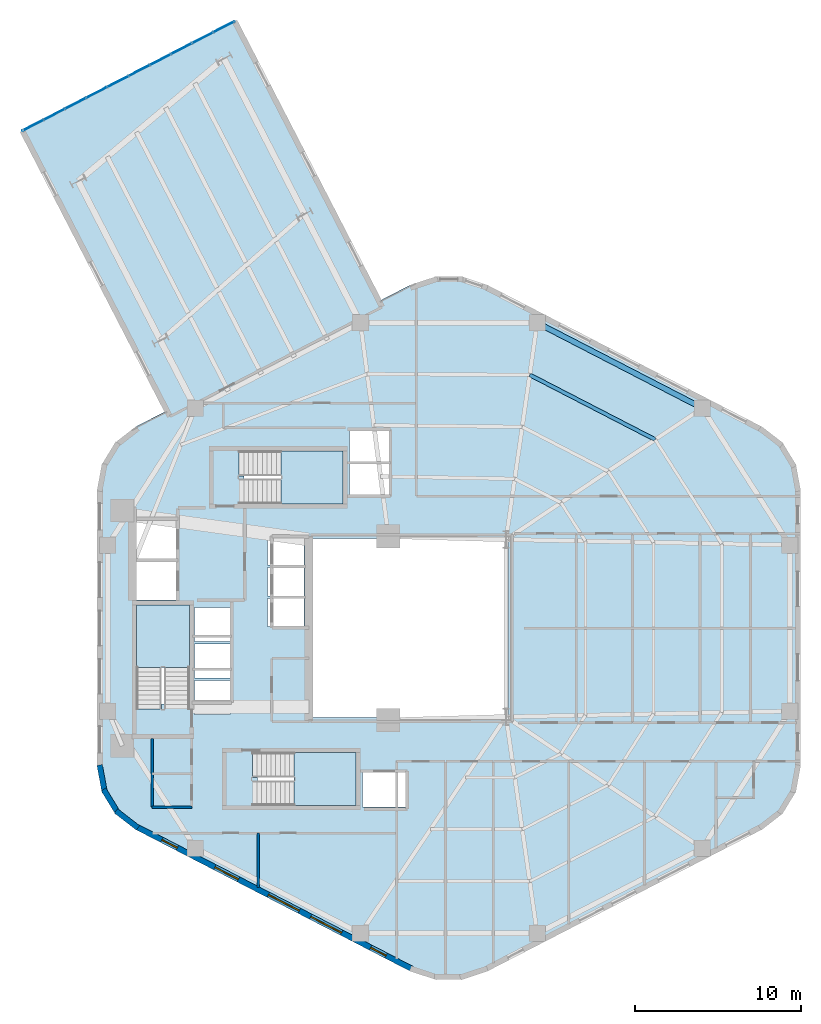
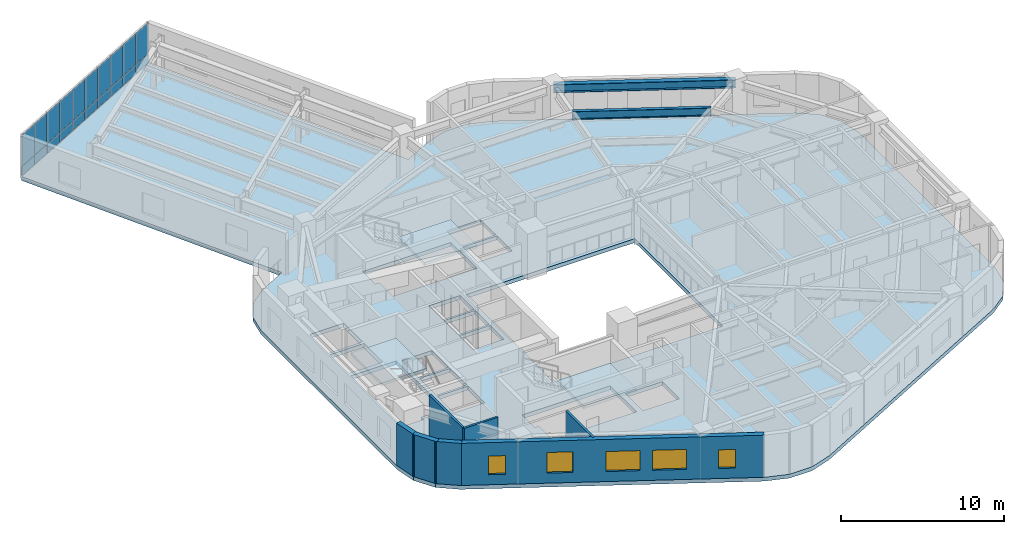
# One storey, part 5 of 11: 20 plates, 7 walls, 5 windows, 4 slabs, 2 beams, 5 openings, 4 elements without a shape of their own.
"""IFC4 building model written with IfcOpenShell, lengths in metres."""

from ifc_helpers import new_model, si_unit, direction, frame, frame_2d, origin, origin_2d, place, context, subcontext, project, spatial, polyline, rectangle, i_section, outline, extrude, material, layer, layer_set, material_profile, profile_set, type_object, element, fill, aggregate, save


model = new_model("IFC4")

# Units and contexts
model_context = context("Model", 3, precision=1e-05, world=origin(), true_north=direction((0.0, 1.0)))
body_context = subcontext(model_context, "Body", "Model", "MODEL_VIEW")
ifc_project = project(units=[si_unit("LENGTHUNIT", "METRE"), si_unit("AREAUNIT", "SQUARE_METRE"), si_unit("VOLUMEUNIT", "CUBIC_METRE"), si_unit("PLANEANGLEUNIT", "RADIAN"), si_unit("MASSUNIT", "GRAM", prefix="KILO"), si_unit("THERMODYNAMICTEMPERATUREUNIT", "KELVIN"), si_unit("POWERUNIT", "WATT")], contexts=[model_context])

# Site, building, storey
site_placement = place(None, origin())
site = spatial("IfcSite", under=ifc_project, at=site_placement, CompositionType="ELEMENT")
building_placement = place(site_placement, origin())
building = spatial("IfcBuilding", under=site, at=building_placement, Name="Skarre Station Tower", CompositionType="ELEMENT")
storey_placement = place(building_placement, frame((0.0, 0.0, 139.5)))
storey = spatial("IfcBuildingStorey", under=building, at=storey_placement, Name="L37", CompositionType="ELEMENT", Elevation=139.5)

# Beams
ifc_material_1 = material(Name="Steel ASTM A992 Grade 50", Category="steel")
ifc_material_profile_1 = material_profile(ifc_material_1, i_section(OverallWidth=0.22802734375, OverallDepth=0.60791015625, WebThickness=0.010986328125, FlangeThickness=0.01708984375, at=origin_2d()), Name="Steel ASTM A992 Grade 50")
ifc_profile_set_1 = profile_set([ifc_material_profile_1], Name="Steel ASTM A992 Grade 50")
beam_type_1 = type_object("IfcBeamType", Name="Steel Joist W24X76", PredefinedType="JOIST", material=ifc_profile_set_1)
beam_1_placement = place(storey_placement, frame((48.448974609375, 35.375, 2.85595703125), z_axis=(-0.888603699553, 0.45867577344, 0.0), x_axis=(-0.45867577344, -0.888603699553, 0.0)))
element("IfcBeam", 1, at=beam_1_placement, inside=storey, type_object=beam_type_1, Name="L37 Secondary Floor Joist 3", PredefinedType="JOIST", context=body_context, shape_type="SweptSolid", body=[
    extrude(i_section(OverallWidth=0.22802734375, OverallDepth=0.60791015625, WebThickness=0.010986328125, FlangeThickness=0.01708984375, at=origin_2d()), origin(), (0.0, 0.0, 1.0), 8.51806640625),
])
ifc_material_profile_2 = material_profile(ifc_material_1, i_section(OverallWidth=0.327880859375, OverallDepth=0.6279296875, WebThickness=0.01708984375, FlangeThickness=0.028076171875, at=origin_2d()), Name="Steel ASTM A992 Grade 50")
ifc_profile_set_2 = profile_set([ifc_material_profile_2], Name="Steel ASTM A992 Grade 50")
beam_type_2 = type_object("IfcBeamType", Name="Steel Spandrel W24X146", PredefinedType="SPANDREL", material=ifc_profile_set_2)
beam_2_placement = place(storey_placement, frame((51.291015625, 37.277099609375, 2.845947265625), z_axis=(-0.888611779493, 0.458660119639, 0.0), x_axis=(-0.458660119639, -0.888611779493, 0.0)))
element("IfcBeam", 2, at=beam_2_placement, inside=storey, type_object=beam_type_2, Name="L37 Facet Spandrel Beam 1", PredefinedType="SPANDREL", context=body_context, shape_type="SweptSolid", body=[
    extrude(i_section(OverallWidth=0.327880859375, OverallDepth=0.6279296875, WebThickness=0.01708984375, FlangeThickness=0.028076171875, at=origin_2d()), origin(), (0.0, 0.0, 1.0), 11.20849609375),
])

# Curtain wall, plates
ifc_material_2 = material(Name="Thermally Broken Bronze-Anodized Aluminium & Triple Low-E Glass", Category="aluminium")
ifc_layer_1 = layer(ifc_material_2, 0.2099609375, Name="Thermally Broken Bronze-Anodized Aluminium & Triple Low-E Glass")
ifc_layer_set_1 = layer_set([ifc_layer_1], Name="Thermally Broken Bronze-Anodized Aluminium & Triple Low-E Glass")
curtain_wall_type = type_object("IfcCurtainWallType", Name="Sky-Bar Prow Structural Glazed Curtain Wall", PredefinedType="NOTDEFINED", material=ifc_layer_set_1)
curtain_wall_placement = place(storey_placement, origin())
curtain_wall = element("IfcCurtainWall", 3, at=curtain_wall_placement, inside=storey, type_object=curtain_wall_type, Name="L37 SB-3 Lakefront Prow Curtain Wall", PredefinedType="NOTDEFINED")
ifc_material_3 = material(Name="Insulated Bronze Anodized Aluminium Spandrel", Category="aluminium")
ifc_layer_2 = layer(ifc_material_3, 0.052001953125, Name="Insulated Bronze Anodized Aluminium Spandrel")
ifc_layer_set_2 = layer_set([ifc_layer_2], Name="Insulated Bronze Anodized Aluminium Spandrel")
plate_type_1 = type_object("IfcPlateType", Name="Bronze Insulated Spandrel Sheet Panel 52", PredefinedType="SHEET", material=ifc_layer_set_2)
plate_1_placement = place(storey_placement, frame((10.9189453125, 54.3359375, 0.052001953125), z_axis=(0.0, 0.0, 1.0), x_axis=(0.888601222224, 0.458680572798, 0.0)))
plate_1 = element("IfcPlate", 4, at=plate_1_placement, type_object=plate_type_1, Name="L37 SB-3 Lakefront Prow Curtain Wall Spandrel Panel 1-1", PredefinedType="SHEET", context=body_context, shape_type="SweptSolid", body=[
    extrude(rectangle(XDim=1.416015625, YDim=0.052001953125, at=origin_2d()), origin(), (0.0, 0.0, 1.0), 0.68603515625),
])
plate_2_placement = place(storey_placement, frame((12.197998046875, 54.9970703125, 0.052001953125), z_axis=(0.0, 0.0, 1.0), x_axis=(0.888601222224, 0.458680572798, 0.0)))
plate_2 = element("IfcPlate", 5, at=plate_2_placement, type_object=plate_type_1, Name="L37 SB-3 Lakefront Prow Curtain Wall Spandrel Panel 2-1", PredefinedType="SHEET", context=body_context, shape_type="SweptSolid", body=[
    extrude(rectangle(XDim=1.416015625, YDim=0.052001953125, at=origin_2d()), origin(), (0.0, 0.0, 1.0), 0.68603515625),
])
plate_3_placement = place(storey_placement, frame((13.47802734375, 55.656982421875, 0.052001953125), z_axis=(0.0, 0.0, 1.0), x_axis=(0.888601222224, 0.458680572798, 0.0)))
plate_3 = element("IfcPlate", 6, at=plate_3_placement, type_object=plate_type_1, Name="L37 SB-3 Lakefront Prow Curtain Wall Spandrel Panel 3-1", PredefinedType="SHEET", context=body_context, shape_type="SweptSolid", body=[
    extrude(rectangle(XDim=1.416015625, YDim=0.052001953125, at=origin_2d()), origin(), (0.0, 0.0, 1.0), 0.68603515625),
])
plate_4_placement = place(storey_placement, frame((14.758056640625, 56.318115234375, 0.052001953125), z_axis=(0.0, 0.0, 1.0), x_axis=(0.888601222224, 0.458680572798, 0.0)))
plate_4 = element("IfcPlate", 7, at=plate_4_placement, type_object=plate_type_1, Name="L37 SB-3 Lakefront Prow Curtain Wall Spandrel Panel 4-1", PredefinedType="SHEET", context=body_context, shape_type="SweptSolid", body=[
    extrude(rectangle(XDim=1.416015625, YDim=0.052001953125, at=origin_2d()), origin(), (0.0, 0.0, 1.0), 0.68603515625),
])
plate_5_placement = place(storey_placement, frame((16.037109375, 56.97802734375, 0.052001953125), z_axis=(0.0, 0.0, 1.0), x_axis=(0.888601222224, 0.458680572798, 0.0)))
plate_5 = element("IfcPlate", 8, at=plate_5_placement, type_object=plate_type_1, Name="L37 SB-3 Lakefront Prow Curtain Wall Spandrel Panel 5-1", PredefinedType="SHEET", context=body_context, shape_type="SweptSolid", body=[
    extrude(rectangle(XDim=1.416015625, YDim=0.052001953125, at=origin_2d()), origin(), (0.0, 0.0, 1.0), 0.68603515625),
])
plate_6_placement = place(storey_placement, frame((17.31689453125, 57.638916015625, 0.052001953125), z_axis=(0.0, 0.0, 1.0), x_axis=(0.888601222224, 0.458680572798, 0.0)))
plate_6 = element("IfcPlate", 9, at=plate_6_placement, type_object=plate_type_1, Name="L37 SB-3 Lakefront Prow Curtain Wall Spandrel Panel 6-1", PredefinedType="SHEET", context=body_context, shape_type="SweptSolid", body=[
    extrude(rectangle(XDim=1.416015625, YDim=0.052001953125, at=origin_2d()), origin(), (0.0, 0.0, 1.0), 0.68603515625),
])
plate_7_placement = place(storey_placement, frame((18.595947265625, 58.299072265625, 0.052001953125), z_axis=(0.0, 0.0, 1.0), x_axis=(0.888601222224, 0.458680572798, 0.0)))
plate_7 = element("IfcPlate", 10, at=plate_7_placement, type_object=plate_type_1, Name="L37 SB-3 Lakefront Prow Curtain Wall Spandrel Panel 7-1", PredefinedType="SHEET", context=body_context, shape_type="SweptSolid", body=[
    extrude(rectangle(XDim=1.416015625, YDim=0.052001953125, at=origin_2d()), origin(), (0.0, 0.0, 1.0), 0.68603515625),
])
plate_8_placement = place(storey_placement, frame((19.8759765625, 58.9599609375, 0.052001953125), z_axis=(0.0, 0.0, 1.0), x_axis=(0.888601222224, 0.458680572798, 0.0)))
plate_8 = element("IfcPlate", 11, at=plate_8_placement, type_object=plate_type_1, Name="L37 SB-3 Lakefront Prow Curtain Wall Spandrel Panel 8-1", PredefinedType="SHEET", context=body_context, shape_type="SweptSolid", body=[
    extrude(rectangle(XDim=1.416015625, YDim=0.052001953125, at=origin_2d()), origin(), (0.0, 0.0, 1.0), 0.68603515625),
])
plate_9_placement = place(storey_placement, frame((21.156005859375, 59.6201171875, 0.052001953125), z_axis=(0.0, 0.0, 1.0), x_axis=(0.888601222224, 0.458680572798, 0.0)))
plate_9 = element("IfcPlate", 12, at=plate_9_placement, type_object=plate_type_1, Name="L37 SB-3 Lakefront Prow Curtain Wall Spandrel Panel 9-1", PredefinedType="SHEET", context=body_context, shape_type="SweptSolid", body=[
    extrude(rectangle(XDim=1.416015625, YDim=0.052001953125, at=origin_2d()), origin(), (0.0, 0.0, 1.0), 0.68603515625),
])
plate_10_placement = place(storey_placement, frame((22.43505859375, 60.281005859375, 0.052001953125), z_axis=(0.0, 0.0, 1.0), x_axis=(0.888601222224, 0.458680572798, 0.0)))
plate_10 = element("IfcPlate", 13, at=plate_10_placement, type_object=plate_type_1, Name="L37 SB-3 Lakefront Prow Curtain Wall Spandrel Panel 10-1", PredefinedType="SHEET", context=body_context, shape_type="SweptSolid", body=[
    extrude(rectangle(XDim=1.416015625, YDim=0.052001953125, at=origin_2d()), origin(), (0.0, 0.0, 1.0), 0.68603515625),
])

# Stair, slab
ifc_material_4 = material(Name="Concrete C40/50", Category="concrete")
stair_type_1 = type_object("IfcStairType", Name="Reinforced Concrete Exit Stair ST-1", PredefinedType="HALF_TURN_STAIR", material=ifc_material_4)
stair_1_placement = place(storey_placement, origin())
stair_1 = element("IfcStair", 14, at=stair_1_placement, inside=storey, type_object=stair_type_1, Name="L37 Core Exit Stair ST-1", PredefinedType="HALF_TURN_STAIR")
ifc_layer_3 = layer(ifc_material_4, 0.219970703125, Name="Concrete C40/50")
ifc_layer_set_3 = layer_set([ifc_layer_3], Name="Concrete C40/50")
slab_type_1 = type_object("IfcSlabType", Name="Reinforced Concrete Stair & Ramp Landing 220", PredefinedType="LANDING", material=ifc_layer_set_3)
slab_1_placement = place(storey_placement, frame((0.0, 0.0, 1.52490234375)))
slab_1 = element("IfcSlab", 15, at=slab_1_placement, type_object=slab_type_1, Name="ST-1 landing 1", PredefinedType="LANDING", context=body_context, shape_type="SweptSolid", body=[
    extrude(outline(polyline([(20.35009765625, 21.639892578125), (20.35009765625, 25.39990234375), (17.14990234375, 25.39990234375), (17.14990234375, 21.639892578125), (20.35009765625, 21.639892578125)])), origin(), (0.0, 0.0, 1.0), 0.2001953125),
])
aggregate(stair_1, [slab_1])

stair_type_2 = type_object("IfcStairType", Name="Reinforced Concrete Exit Stair ST-2", PredefinedType="HALF_TURN_STAIR", material=ifc_material_4)
stair_2_placement = place(storey_placement, origin())
stair_2 = element("IfcStair", 16, at=stair_2_placement, inside=storey, type_object=stair_type_2, Name="L37 Core Exit Stair ST-2", PredefinedType="HALF_TURN_STAIR")
slab_2_placement = place(storey_placement, frame((0.0, 0.0, 1.52490234375)))
slab_2 = element("IfcSlab", 17, at=slab_2_placement, type_object=slab_type_1, Name="ST-2 landing 1", PredefinedType="LANDING", context=body_context, shape_type="SweptSolid", body=[
    extrude(outline(polyline([(26.669921875, 13.300048828125), (30.39990234375, 13.300048828125), (30.39990234375, 16.5), (26.669921875, 16.5), (26.669921875, 13.300048828125)])), origin(), (0.0, 0.0, 1.0), 0.2001953125),
])
aggregate(stair_2, [slab_2])

stair_type_3 = type_object("IfcStairType", Name="Reinforced Concrete Exit Stair ST-3", PredefinedType="HALF_TURN_STAIR", material=ifc_material_4)
stair_3_placement = place(storey_placement, origin())
stair_3 = element("IfcStair", 18, at=stair_3_placement, inside=storey, type_object=stair_type_3, Name="L37 Core Exit Stair ST-3", PredefinedType="HALF_TURN_STAIR")
slab_3_placement = place(storey_placement, frame((0.0, 0.0, 1.52490234375)))
slab_3 = element("IfcSlab", 19, at=slab_3_placement, type_object=slab_type_1, Name="ST-3 landing 1", PredefinedType="LANDING", context=body_context, shape_type="SweptSolid", body=[
    extrude(outline(polyline([(25.8701171875, 31.5), (29.60009765625, 31.5), (29.60009765625, 34.699951171875), (25.8701171875, 34.699951171875), (25.8701171875, 31.5)])), origin(), (0.0, 0.0, 1.0), 0.2001953125),
])
aggregate(stair_3, [slab_3])

# Slab
ifc_material_5 = material(Name="Concrete C50/60", Category="concrete")
ifc_layer_4 = layer(ifc_material_5, 0.2900390625, Name="Concrete C50/60")
ifc_layer_set_4 = layer_set([ifc_layer_4], Name="Concrete C50/60")
slab_type_2 = type_object("IfcSlabType", Name="Sky-Bar Composite Floor Slab 290", PredefinedType="FLOOR", material=ifc_layer_set_4)
slab_4_placement = place(storey_placement, frame((0.0, 0.0, -0.2900390625)))
element("IfcSlab", 20, at=slab_4_placement, inside=storey, type_object=slab_type_2, Name="L37 Tower and SB-3 Floor Slab", PredefinedType="FLOOR", context=body_context, shape_type="SweptSolid", body=[
    extrude(outline(polyline([(31.7890625, 43.72705078125), (23.074951171875, 60.611083984375), (10.279052734375, 54.006103515625), (18.992919921875, 37.123046875), (17.091064453125, 36.14111328125), (15.867919921875, 35.194091796875), (15.06298828125, 33.873046875), (14.781982421875, 32.35205078125), (14.781982421875, 15.64794921875), (15.06298828125, 14.126953125), (15.867919921875, 12.805908203125), (17.091064453125, 11.85888671875), (33.69091796875, 3.291015625), (35.2041015625, 2.7939453125), (36.7958984375, 2.7939453125), (38.30908203125, 3.291015625), (54.908935546875, 11.85888671875), (56.132080078125, 12.805908203125), (56.93701171875, 14.126953125), (57.218017578125, 15.64794921875), (57.218017578125, 32.35205078125), (56.93701171875, 33.873046875), (56.132080078125, 35.194091796875), (54.908935546875, 36.14111328125), (38.30908203125, 44.708984375), (36.7958984375, 45.2060546875), (35.2041015625, 45.2060546875), (33.69091796875, 44.708984375), (31.7890625, 43.72705078125)]), holes=[polyline([(18.669921875, 19.419921875), (18.669921875, 19.123046875), (17.14990234375, 19.123046875), (17.14990234375, 25.39990234375), (20.35009765625, 25.39990234375), (20.35009765625, 19.419921875), (18.669921875, 19.419921875)]), polyline([(24.449951171875, 14.97998046875), (24.153076171875, 14.97998046875), (24.153076171875, 16.5), (30.39990234375, 16.5), (30.39990234375, 13.300048828125), (24.449951171875, 13.300048828125), (24.449951171875, 14.97998046875)]), polyline([(23.64990234375, 33.179931640625), (23.35302734375, 33.179931640625), (23.35302734375, 34.699951171875), (29.60009765625, 34.699951171875), (29.60009765625, 31.5), (23.64990234375, 31.5), (23.64990234375, 33.179931640625)]), polyline([(17.14990234375, 28.0), (19.550048828125, 28.0), (19.550048828125, 25.699951171875), (17.14990234375, 25.699951171875), (17.14990234375, 28.0)]), polyline([(17.14990234375, 30.5), (19.550048828125, 30.5), (19.550048828125, 28.199951171875), (17.14990234375, 28.199951171875), (17.14990234375, 30.5)]), polyline([(30.800048828125, 15.300048828125), (33.39990234375, 15.300048828125), (33.39990234375, 13.199951171875), (30.800048828125, 13.199951171875), (30.800048828125, 15.300048828125)]), polyline([(25.050048828125, 25.800048828125), (27.25, 25.800048828125), (27.25, 24.10009765625), (25.050048828125, 24.10009765625), (25.050048828125, 25.800048828125)]), polyline([(25.050048828125, 27.64990234375), (27.25, 27.64990234375), (27.25, 25.949951171875), (25.050048828125, 25.949951171875), (25.050048828125, 27.64990234375)]), polyline([(25.050048828125, 29.5), (27.25, 29.5), (27.25, 27.800048828125), (25.050048828125, 27.800048828125), (25.050048828125, 29.5)]), polyline([(20.64990234375, 20.85009765625), (22.800048828125, 20.85009765625), (22.800048828125, 18.800048828125), (20.64990234375, 18.800048828125), (20.64990234375, 20.85009765625)]), polyline([(20.64990234375, 23.050048828125), (22.800048828125, 23.050048828125), (22.800048828125, 21.0), (20.64990234375, 21.0), (20.64990234375, 23.050048828125)]), polyline([(20.64990234375, 25.25), (22.800048828125, 25.25), (22.800048828125, 23.199951171875), (20.64990234375, 23.199951171875), (20.64990234375, 25.25)]), polyline([(30.0, 33.89990234375), (32.39990234375, 33.89990234375), (32.39990234375, 32.050048828125), (30.0, 32.050048828125), (30.0, 33.89990234375)]), polyline([(30.0, 35.89990234375), (32.39990234375, 35.89990234375), (32.39990234375, 34.050048828125), (30.0, 34.050048828125), (30.0, 35.89990234375)]), polyline([(27.60009765625, 29.39990234375), (39.60009765625, 29.39990234375), (39.60009765625, 18.60009765625), (27.60009765625, 18.60009765625), (27.60009765625, 29.39990234375)])]), origin(), (0.0, 0.0, 1.0), 0.2900390625),
])

# Plate
ifc_material_6 = material(Name="Low-Iron Triple Insulating Glass Unit", Category="glass")
ifc_layer_5 = layer(ifc_material_6, 0.0439453125, Name="Low-Iron Triple Insulating Glass Unit")
ifc_layer_set_5 = layer_set([ifc_layer_5], Name="Low-Iron Triple Insulating Glass Unit")
plate_type_2 = type_object("IfcPlateType", Name="Triple-Glazed Vision Curtain Panel 44", PredefinedType="CURTAIN_PANEL", material=ifc_layer_set_5)
plate_11_placement = place(storey_placement, frame((10.9189453125, 54.3359375, 0.76220703125), z_axis=(0.0, 0.0, 1.0), x_axis=(0.888601222224, 0.458680572798, 0.0)))
plate_11 = element("IfcPlate", 21, at=plate_11_placement, type_object=plate_type_2, Name="L37 SB-3 Lakefront Prow Curtain Wall Vision Panel 1-2", PredefinedType="CURTAIN_PANEL", context=body_context, shape_type="SweptSolid", body=[
    extrude(rectangle(XDim=1.416015625, YDim=0.0439453125, at=origin_2d()), origin(), (0.0, 0.0, 1.0), 2.345947265625),
])

plate_12_placement = place(storey_placement, frame((12.197998046875, 54.9970703125, 0.76220703125), z_axis=(0.0, 0.0, 1.0), x_axis=(0.888601222224, 0.458680572798, 0.0)))
plate_12 = element("IfcPlate", 22, at=plate_12_placement, type_object=plate_type_2, Name="L37 SB-3 Lakefront Prow Curtain Wall Vision Panel 2-2", PredefinedType="CURTAIN_PANEL", context=body_context, shape_type="SweptSolid", body=[
    extrude(rectangle(XDim=1.416015625, YDim=0.0439453125, at=origin_2d()), origin(), (0.0, 0.0, 1.0), 2.345947265625),
])

plate_13_placement = place(storey_placement, frame((13.47802734375, 55.656982421875, 0.76220703125), z_axis=(0.0, 0.0, 1.0), x_axis=(0.888601222224, 0.458680572798, 0.0)))
plate_13 = element("IfcPlate", 23, at=plate_13_placement, type_object=plate_type_2, Name="L37 SB-3 Lakefront Prow Curtain Wall Vision Panel 3-2", PredefinedType="CURTAIN_PANEL", context=body_context, shape_type="SweptSolid", body=[
    extrude(rectangle(XDim=1.416015625, YDim=0.0439453125, at=origin_2d()), origin(), (0.0, 0.0, 1.0), 2.345947265625),
])

plate_14_placement = place(storey_placement, frame((14.758056640625, 56.318115234375, 0.76220703125), z_axis=(0.0, 0.0, 1.0), x_axis=(0.888601222224, 0.458680572798, 0.0)))
plate_14 = element("IfcPlate", 24, at=plate_14_placement, type_object=plate_type_2, Name="L37 SB-3 Lakefront Prow Curtain Wall Vision Panel 4-2", PredefinedType="CURTAIN_PANEL", context=body_context, shape_type="SweptSolid", body=[
    extrude(rectangle(XDim=1.416015625, YDim=0.0439453125, at=origin_2d()), origin(), (0.0, 0.0, 1.0), 2.345947265625),
])

plate_15_placement = place(storey_placement, frame((16.037109375, 56.97802734375, 0.76220703125), z_axis=(0.0, 0.0, 1.0), x_axis=(0.888601222224, 0.458680572798, 0.0)))
plate_15 = element("IfcPlate", 25, at=plate_15_placement, type_object=plate_type_2, Name="L37 SB-3 Lakefront Prow Curtain Wall Vision Panel 5-2", PredefinedType="CURTAIN_PANEL", context=body_context, shape_type="SweptSolid", body=[
    extrude(rectangle(XDim=1.416015625, YDim=0.0439453125, at=origin_2d()), origin(), (0.0, 0.0, 1.0), 2.345947265625),
])

plate_16_placement = place(storey_placement, frame((17.31689453125, 57.638916015625, 0.76220703125), z_axis=(0.0, 0.0, 1.0), x_axis=(0.888601222224, 0.458680572798, 0.0)))
plate_16 = element("IfcPlate", 26, at=plate_16_placement, type_object=plate_type_2, Name="L37 SB-3 Lakefront Prow Curtain Wall Vision Panel 6-2", PredefinedType="CURTAIN_PANEL", context=body_context, shape_type="SweptSolid", body=[
    extrude(rectangle(XDim=1.416015625, YDim=0.0439453125, at=origin_2d()), origin(), (0.0, 0.0, 1.0), 2.345947265625),
])

plate_17_placement = place(storey_placement, frame((18.595947265625, 58.299072265625, 0.76220703125), z_axis=(0.0, 0.0, 1.0), x_axis=(0.888601222224, 0.458680572798, 0.0)))
plate_17 = element("IfcPlate", 27, at=plate_17_placement, type_object=plate_type_2, Name="L37 SB-3 Lakefront Prow Curtain Wall Vision Panel 7-2", PredefinedType="CURTAIN_PANEL", context=body_context, shape_type="SweptSolid", body=[
    extrude(rectangle(XDim=1.416015625, YDim=0.0439453125, at=origin_2d()), origin(), (0.0, 0.0, 1.0), 2.345947265625),
])

plate_18_placement = place(storey_placement, frame((19.8759765625, 58.9599609375, 0.76220703125), z_axis=(0.0, 0.0, 1.0), x_axis=(0.888601222224, 0.458680572798, 0.0)))
plate_18 = element("IfcPlate", 28, at=plate_18_placement, type_object=plate_type_2, Name="L37 SB-3 Lakefront Prow Curtain Wall Vision Panel 8-2", PredefinedType="CURTAIN_PANEL", context=body_context, shape_type="SweptSolid", body=[
    extrude(rectangle(XDim=1.416015625, YDim=0.0439453125, at=origin_2d()), origin(), (0.0, 0.0, 1.0), 2.345947265625),
])

plate_19_placement = place(storey_placement, frame((21.156005859375, 59.6201171875, 0.76220703125), z_axis=(0.0, 0.0, 1.0), x_axis=(0.888601222224, 0.458680572798, 0.0)))
plate_19 = element("IfcPlate", 29, at=plate_19_placement, type_object=plate_type_2, Name="L37 SB-3 Lakefront Prow Curtain Wall Vision Panel 9-2", PredefinedType="CURTAIN_PANEL", context=body_context, shape_type="SweptSolid", body=[
    extrude(rectangle(XDim=1.416015625, YDim=0.0439453125, at=origin_2d()), origin(), (0.0, 0.0, 1.0), 2.345947265625),
])

plate_20_placement = place(storey_placement, frame((22.43505859375, 60.281005859375, 0.76220703125), z_axis=(0.0, 0.0, 1.0), x_axis=(0.888601222224, 0.458680572798, 0.0)))
plate_20 = element("IfcPlate", 30, at=plate_20_placement, type_object=plate_type_2, Name="L37 SB-3 Lakefront Prow Curtain Wall Vision Panel 10-2", PredefinedType="CURTAIN_PANEL", context=body_context, shape_type="SweptSolid", body=[
    extrude(rectangle(XDim=1.416015625, YDim=0.0439453125, at=origin_2d()), origin(), (0.0, 0.0, 1.0), 2.345947265625),
])

aggregate(curtain_wall, [plate_1, plate_11, plate_2, plate_12, plate_3, plate_13, plate_4, plate_14, plate_5, plate_15, plate_6, plate_16, plate_7, plate_17, plate_8, plate_18, plate_9, plate_19, plate_10, plate_20])

# Walls
ifc_material_7 = material(Name="Acoustic Steel-Stud Gypsum Partition", Category="steel")
ifc_layer_6 = layer(ifc_material_7, 0.14990234375, Name="Acoustic Steel-Stud Gypsum Partition")
ifc_layer_set_6 = layer_set([ifc_layer_6], Name="Acoustic Steel-Stud Gypsum Partition")
wall_type_1 = type_object("IfcWallType", Name="Fire-Rated Corridor Acoustic Partition 150", PredefinedType="PARTITIONING", material=ifc_layer_set_6)
wall_1_placement = place(storey_placement, frame((18.10009765625, 17.340087890625, 0.0), z_axis=(0.0, 0.0, 1.0), x_axis=(0.0, -1.0, 0.0)))
element("IfcWall", 31, at=wall_1_placement, inside=storey, type_object=wall_type_1, Name="L37 Interior Partition WL-PT-L37-CSVC-W", PredefinedType="PARTITIONING", context=body_context, shape_type="SweptSolid", body=[
    extrude(rectangle(XDim=4.14013671875, YDim=0.14990234375, at=frame_2d((2.070068359375, 0.0))), origin(), (0.0, 0.0, 1.0), 3.159912109375),
])
wall_2_placement = place(storey_placement, frame((18.10009765625, 13.199951171875, 0.0), z_axis=(0.0, 0.0, 1.0), x_axis=(1.0, 0.0, 0.0)))
element("IfcWall", 32, at=wall_2_placement, inside=storey, type_object=wall_type_1, Name="L37 Interior Partition WL-PT-L37-CSVC-S", PredefinedType="PARTITIONING", context=body_context, shape_type="SweptSolid", body=[
    extrude(rectangle(XDim=2.389892578125, YDim=0.14990234375, at=frame_2d((1.19482421875, 0.0))), origin(), (0.0, 0.0, 1.0), 3.159912109375),
])
wall_3_placement = place(storey_placement, frame((24.5, 8.35009765625, 0.0), z_axis=(0.0, 0.0, 1.0), x_axis=(0.0, 1.0, 0.0)))
element("IfcWall", 33, at=wall_3_placement, inside=storey, type_object=wall_type_1, Name="L37 Interior Partition WL-PT-L37-SWP-M", PredefinedType="PARTITIONING", context=body_context, shape_type="SweptSolid", body=[
    extrude(rectangle(XDim=3.289794921875, YDim=0.14990234375, at=frame_2d((1.64501953125, 0.0))), origin(), (0.0, 0.0, 1.0), 3.159912109375),
])

# Wall, openings, windows
ifc_material_8 = material(Name="Precast concrete C45/55", Category="concrete")
ifc_layer_7 = layer(ifc_material_8, 0.340087890625, Name="Precast concrete C45/55")
ifc_layer_set_7 = layer_set([ifc_layer_7], Name="Precast concrete C45/55")
wall_type_2 = type_object("IfcWallType", Name="Nordic Honed Precast Facet Wall 340", PredefinedType="STANDARD", material=ifc_layer_set_7)
wall_4_placement = place(storey_placement, frame((33.76904296875, 3.44189453125, 0.0), z_axis=(0.0, 0.0, 1.0), x_axis=(-0.888613612362, 0.458656568606, 0.0)))
wall_4 = element("IfcWall", 34, at=wall_4_placement, inside=storey, type_object=wall_type_2, Name="L37 Facet 3 Nordic Precast Masonry Wall", PredefinedType="STANDARD", context=body_context, shape_type="SweptSolid", body=[
    extrude(rectangle(XDim=18.680908203125, YDim=0.340087890625, at=frame_2d((9.34033203125, 0.0))), origin(), (0.0, 0.0, 1.0), 3.159912109375),
])
opening_1_placement = place(wall_4_placement, frame((1.75, 0.0, 0.75)))
opening_1 = element("IfcOpeningElement", 35, at=opening_1_placement, cuts=wall_4, Name="Opening WN-SLT", PredefinedType="OPENING", context=body_context, shape_type="SweptSolid", body=[
    extrude(rectangle(XDim=1.050048828125, YDim=1.39990234375, at=frame_2d((0.52490234375, 0.699951171875))), frame((0.0, 0.179931640625, 0.0), z_axis=(0.0, -1.0, 0.0), x_axis=(1.0, 0.0, 0.0)), (0.0, 0.0, 1.0), 0.360107421875),
])
opening_2_placement = place(wall_4_placement, frame((4.764892578125, 0.0, 0.75)))
opening_2 = element("IfcOpeningElement", 36, at=opening_2_placement, cuts=wall_4, Name="Opening WN-Z2B", PredefinedType="OPENING", context=body_context, shape_type="SweptSolid", body=[
    extrude(rectangle(XDim=2.10009765625, YDim=1.5, at=frame_2d((1.050048828125, 0.75))), frame((0.0, 0.179931640625, 0.0), z_axis=(0.0, -1.0, 0.0), x_axis=(1.0, 0.0, 0.0)), (0.0, 0.0, 1.0), 0.360107421875),
])
opening_3_placement = place(wall_4_placement, frame((7.64404296875, 0.0, 0.75)))
opening_3 = element("IfcOpeningElement", 37, at=opening_3_placement, cuts=wall_4, Name="Opening WN-Z2B", PredefinedType="OPENING", context=body_context, shape_type="SweptSolid", body=[
    extrude(rectangle(XDim=2.10009765625, YDim=1.5, at=frame_2d((1.050048828125, 0.75))), frame((0.0, 0.179931640625, 0.0), z_axis=(0.0, -1.0, 0.0), x_axis=(1.0, 0.0, 0.0)), (0.0, 0.0, 1.0), 0.360107421875),
])
opening_4_placement = place(wall_4_placement, frame((11.77392578125, 0.0, 0.75)))
opening_4 = element("IfcOpeningElement", 38, at=opening_4_placement, cuts=wall_4, Name="Opening WN-Z2A", PredefinedType="OPENING", context=body_context, shape_type="SweptSolid", body=[
    extrude(rectangle(XDim=1.60009765625, YDim=1.550048828125, at=frame_2d((0.800048828125, 0.77490234375))), frame((0.0, 0.179931640625, 0.0), z_axis=(0.0, -1.0, 0.0), x_axis=(1.0, 0.0, 0.0)), (0.0, 0.0, 1.0), 0.360107421875),
])
opening_5_placement = place(wall_4_placement, frame((15.919921875, 0.0, 0.75)))
opening_5 = element("IfcOpeningElement", 39, at=opening_5_placement, cuts=wall_4, Name="Opening WN-SLT", PredefinedType="OPENING", context=body_context, shape_type="SweptSolid", body=[
    extrude(rectangle(XDim=1.050048828125, YDim=1.39990234375, at=frame_2d((0.52490234375, 0.699951171875))), frame((0.0, 0.179931640625, 0.0), z_axis=(0.0, -1.0, 0.0), x_axis=(1.0, 0.0, 0.0)), (0.0, 0.0, 1.0), 0.360107421875),
])
ifc_material_9 = material(Name="Low-Iron Triple Glazing with Bronze Anodized Frame", Category="glass")
window_type_1 = type_object("IfcWindowType", Name="Nordic Corner Slot Window 1050x1400", PartitioningType="SINGLE_PANEL", PredefinedType="WINDOW", material=ifc_material_9)
window_1_placement = place(opening_1_placement, origin())
window_1 = element("IfcWindow", 40, at=window_1_placement, inside=storey, type_object=window_type_1, Name="L37 Facade Window WL-FAC-L37-F3-1", OverallHeight=1.39990234375, OverallWidth=1.050048828125, PartitioningType="SINGLE_PANEL", PredefinedType="WINDOW", context=body_context, shape_type="SweptSolid", body=[
    extrude(rectangle(XDim=1.050048828125, YDim=1.39990234375, at=frame_2d((0.52490234375, 0.699951171875))), frame((0.0, 0.030029296875, 0.0), z_axis=(0.0, -1.0, 0.0), x_axis=(1.0, 0.0, 0.0)), (0.0, 0.0, 1.0), 0.06005859375),
])
fill(opening_1, window_1)
window_2_placement = place(opening_5_placement, origin())
window_2 = element("IfcWindow", 41, at=window_2_placement, inside=storey, type_object=window_type_1, Name="L37 Facade Window WL-FAC-L37-F3-5", OverallHeight=1.39990234375, OverallWidth=1.050048828125, PartitioningType="SINGLE_PANEL", PredefinedType="WINDOW", context=body_context, shape_type="SweptSolid", body=[
    extrude(rectangle(XDim=1.050048828125, YDim=1.39990234375, at=frame_2d((0.52490234375, 0.699951171875))), frame((0.0, 0.030029296875, 0.0), z_axis=(0.0, -1.0, 0.0), x_axis=(1.0, 0.0, 0.0)), (0.0, 0.0, 1.0), 0.06005859375),
])
fill(opening_5, window_2)
window_type_2 = type_object("IfcWindowType", Name="Nordic Residential Tall Window 1600x1550", PartitioningType="SINGLE_PANEL", PredefinedType="WINDOW", material=ifc_material_9)
window_3_placement = place(opening_4_placement, origin())
window_3 = element("IfcWindow", 42, at=window_3_placement, inside=storey, type_object=window_type_2, Name="L37 Facade Window WL-FAC-L37-F3-4", OverallHeight=1.550048828125, OverallWidth=1.60009765625, PartitioningType="SINGLE_PANEL", PredefinedType="WINDOW", context=body_context, shape_type="SweptSolid", body=[
    extrude(rectangle(XDim=1.60009765625, YDim=1.550048828125, at=frame_2d((0.800048828125, 0.77490234375))), frame((0.0, 0.030029296875, 0.0), z_axis=(0.0, -1.0, 0.0), x_axis=(1.0, 0.0, 0.0)), (0.0, 0.0, 1.0), 0.06005859375),
])
fill(opening_4, window_3)
window_type_3 = type_object("IfcWindowType", Name="Nordic Residential Twin Window 2100x1500", PartitioningType="SINGLE_PANEL", PredefinedType="WINDOW", material=ifc_material_9)
window_4_placement = place(opening_2_placement, origin())
window_4 = element("IfcWindow", 43, at=window_4_placement, inside=storey, type_object=window_type_3, Name="L37 Facade Window WL-FAC-L37-F3-2", OverallHeight=1.5, OverallWidth=2.10009765625, PartitioningType="SINGLE_PANEL", PredefinedType="WINDOW", context=body_context, shape_type="SweptSolid", body=[
    extrude(rectangle(XDim=2.10009765625, YDim=1.5, at=frame_2d((1.050048828125, 0.75))), frame((0.0, 0.030029296875, 0.0), z_axis=(0.0, -1.0, 0.0), x_axis=(1.0, 0.0, 0.0)), (0.0, 0.0, 1.0), 0.06005859375),
])
fill(opening_2, window_4)
window_5_placement = place(opening_3_placement, origin())
window_5 = element("IfcWindow", 44, at=window_5_placement, inside=storey, type_object=window_type_3, Name="L37 Facade Window WL-FAC-L37-F3-3", OverallHeight=1.5, OverallWidth=2.10009765625, PartitioningType="SINGLE_PANEL", PredefinedType="WINDOW", context=body_context, shape_type="SweptSolid", body=[
    extrude(rectangle(XDim=2.10009765625, YDim=1.5, at=frame_2d((1.050048828125, 0.75))), frame((0.0, 0.030029296875, 0.0), z_axis=(0.0, -1.0, 0.0), x_axis=(1.0, 0.0, 0.0)), (0.0, 0.0, 1.0), 0.06005859375),
])
fill(opening_3, window_5)

# Walls
ifc_layer_8 = layer(ifc_material_8, 0.330078125, Name="Precast concrete C45/55")
ifc_layer_set_8 = layer_set([ifc_layer_8], Name="Precast concrete C45/55")
wall_type_3 = type_object("IfcWallType", Name="Nordic Rounded Corner Precast Wall 330", PredefinedType="STANDARD", material=ifc_layer_set_8)
wall_5_placement = place(storey_placement, frame((17.242919921875, 11.949951171875, 0.0), z_axis=(0.0, 0.0, 1.0), x_axis=(-0.790621329885, 0.612305408053, 0.0)))
element("IfcWall", 45, at=wall_5_placement, inside=storey, type_object=wall_type_3, Name="L37 Rounded Corner Precast Wall F3-1", PredefinedType="STANDARD", context=body_context, shape_type="SweptSolid", body=[
    extrude(rectangle(XDim=1.67578125, YDim=0.330078125, at=frame_2d((0.837890625, 0.0))), origin(), (0.0, 0.0, 1.0), 3.159912109375),
])
wall_6_placement = place(storey_placement, frame((16.04296875, 12.8359375, 0.0), z_axis=(0.0, 0.0, 1.0), x_axis=(-0.520519429557, 0.853849824883, 0.0)))
element("IfcWall", 46, at=wall_6_placement, inside=storey, type_object=wall_type_3, Name="L37 Rounded Corner Precast Wall F3-2", PredefinedType="STANDARD", context=body_context, shape_type="SweptSolid", body=[
    extrude(rectangle(XDim=1.67724609375, YDim=0.330078125, at=frame_2d((0.838623046875, 0.0))), origin(), (0.0, 0.0, 1.0), 3.159912109375),
])
wall_7_placement = place(storey_placement, frame((15.237060546875, 14.093017578125, 0.0), z_axis=(0.0, 0.0, 1.0), x_axis=(-0.181984991895, 0.983301308209, 0.0)))
element("IfcWall", 47, at=wall_7_placement, inside=storey, type_object=wall_type_3, Name="L37 Rounded Corner Precast Wall F3-3", PredefinedType="STANDARD", context=body_context, shape_type="SweptSolid", body=[
    extrude(rectangle(XDim=1.677001953125, YDim=0.330078125, at=frame_2d((0.83837890625, 0.0))), origin(), (0.0, 0.0, 1.0), 3.159912109375),
])

save(model, "model.ifc")
